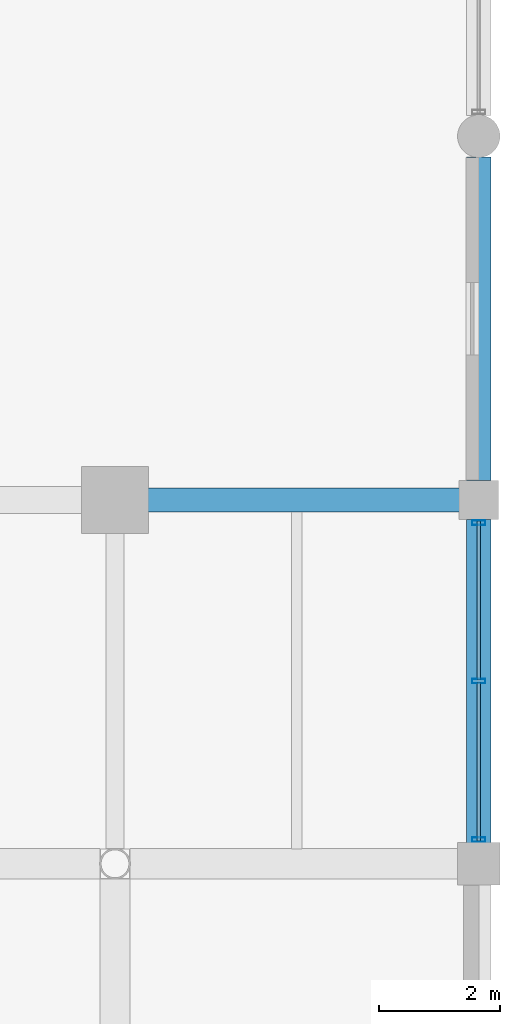
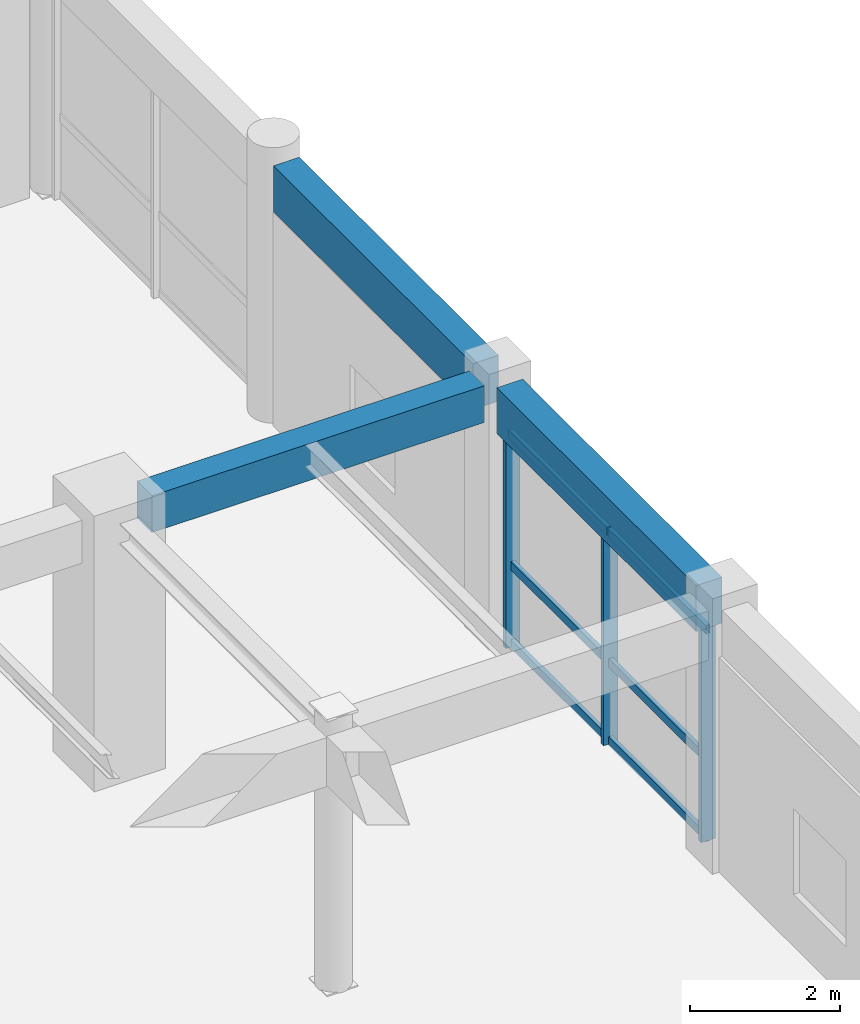
# One storey, part 56 of 116: 9 members, 3 beams, 1 element without a shape of its own.
"""IFC4 building model written with IfcOpenShell, lengths in metres."""

import ifcopenshell
import ifcopenshell.guid

model = None  # the IFC model being written
_history = None  # IfcOwnerHistory: only IFC2X3 demands one
_inside = {}  # id of a spatial element -> (the spatial element, [elements in it])
_under = {}  # id of a project, library or spatial element -> (it, [spatial elements below it])
_declared = {}  # id of a project -> (the project, [libraries it declares])
_typed = {}  # id of a type object -> (the type object, [elements of that type])
_made_of = {}  # id of a material, layer set ... -> (it, [elements and type objects made of it])


def new_model(schema):
    """Start an empty IFC model of exactly this schema.

    Asked for "IFC4X3", IfcOpenShell would pick the latest addendum, in which some entities
    have other attributes; the version numbers below select the first issue.
    IFC2X3 requires an IfcOwnerHistory on every rooted entity: one is made here for all.
    """
    global model, _history
    if schema == "IFC4X3":
        model = ifcopenshell.file(schema_version=(4, 3, 0, 0))
    else:
        model = ifcopenshell.file(schema=schema)
    _inside.clear()
    _under.clear()
    _declared.clear()
    _typed.clear()
    _made_of.clear()
    _history = None
    if model.schema == "IFC2X3":
        org = make("IfcOrganization", Name="unknown")
        user = make(
            "IfcPersonAndOrganization",
            ThePerson=make("IfcPerson", FamilyName="unknown"),
            TheOrganization=org,
        )
        app = make(
            "IfcApplication",
            ApplicationDeveloper=org,
            Version="unknown",
            ApplicationFullName="unknown",
            ApplicationIdentifier="unknown",
        )
        _history = make(
            "IfcOwnerHistory",
            OwningUser=user,
            OwningApplication=app,
            ChangeAction="ADDED",
            CreationDate=0,
        )
    return model


def make(cls, **values):
    """One entity of the class cls with the attributes given. An attribute that is None is left unset."""
    return model.create_entity(
        cls, **{name: value for name, value in values.items() if value is not None}
    )


def rooted(cls, **values):
    """An entity with a GlobalId (a new one), such as an element, a storey or a relation."""
    return make(cls, GlobalId=ifcopenshell.guid.new(), OwnerHistory=_history, **values)


def si_unit(unit_type, name, prefix=None):
    """IfcSIUnit, for example si_unit("LENGTHUNIT", "METRE", prefix="MILLI")."""
    return make("IfcSIUnit", UnitType=unit_type, Prefix=prefix, Name=name)


def assignment(units):
    """IfcUnitAssignment: the units of a project."""
    return None if units is None else make("IfcUnitAssignment", Units=units)


def point(xyz):
    """IfcCartesianPoint."""
    return None if xyz is None else make("IfcCartesianPoint", Coordinates=xyz)


def direction(xyz):
    """IfcDirection."""
    return None if xyz is None else make("IfcDirection", DirectionRatios=xyz)


def frame(location, z_axis=None, x_axis=None):
    """IfcAxis2Placement3D, a coordinate frame: its origin and axes. An axis left out is left unset."""
    return make(
        "IfcAxis2Placement3D",
        Location=point(location),
        Axis=direction(z_axis),
        RefDirection=direction(x_axis),
    )


def frame_2d(location, x_axis=None):
    """IfcAxis2Placement2D, a coordinate frame in the plane: its origin and x axis."""
    return make(
        "IfcAxis2Placement2D", Location=point(location), RefDirection=direction(x_axis)
    )


def origin():
    """The frame at (0, 0, 0) with its axes left unset."""
    return frame((0.0, 0.0, 0.0))


def origin_2d():
    """The frame at (0, 0) in the plane with its x axis left unset."""
    return frame_2d((0.0, 0.0))


def place(relative_to, where):
    """IfcLocalPlacement: puts the frame where relative to a parent placement (None: the world)."""
    return make(
        "IfcLocalPlacement", PlacementRelTo=relative_to, RelativePlacement=where
    )


def context(
    kind, dimensions, precision=None, world=None, true_north=None, identifier=None
):
    """IfcGeometricRepresentationContext, for example the 3D "Model" context."""
    return make(
        "IfcGeometricRepresentationContext",
        ContextIdentifier=identifier,
        ContextType=kind,
        CoordinateSpaceDimension=dimensions,
        Precision=precision,
        WorldCoordinateSystem=world,
        TrueNorth=true_north,
    )


def subcontext(parent, identifier, kind, view, scale=None):
    """IfcGeometricRepresentationSubContext, for example "Body" below "Model"."""
    return make(
        "IfcGeometricRepresentationSubContext",
        ContextIdentifier=identifier,
        ContextType=kind,
        ParentContext=parent,
        TargetScale=scale,
        TargetView=view,
    )


def project(units=None, contexts=None):
    """IfcProject with its units and contexts."""
    return rooted(
        "IfcProject",
        Name="project",
        RepresentationContexts=contexts,
        UnitsInContext=assignment(units),
    )


def spatial(cls, under=None, at=None, **own):
    """A site, building, storey or space (cls), placed at a placement, below another one or the project."""
    s = rooted(cls, ObjectPlacement=at, **own)
    if under is not None:
        _under.setdefault(under.id(), (under, []))[1].append(s)
    return s


def profile(cls, at=None, kind="AREA", **sizes):
    """A parametric profile (cls). Its sizes go by their IFC names, for example OverallWidth=200.0."""
    return make(cls, ProfileType=kind, Position=at, **sizes)


def rectangle(**sizes):
    """IfcRectangleProfileDef."""
    return profile("IfcRectangleProfileDef", **sizes)


def hollow_rectangle(**sizes):
    """IfcRectangleHollowProfileDef."""
    return profile("IfcRectangleHollowProfileDef", **sizes)


def extrude(swept, where, along, depth):
    """IfcExtrudedAreaSolid: the profile swept, set in the frame where, extruded along a direction by depth."""
    return make(
        "IfcExtrudedAreaSolid",
        SweptArea=swept,
        Position=where,
        ExtrudedDirection=direction(along),
        Depth=depth,
    )


def shape(context_of_items, identifier, shape_type, items):
    """IfcShapeRepresentation: the items that make up one representation, for example the "Body"."""
    return make(
        "IfcShapeRepresentation",
        ContextOfItems=context_of_items,
        RepresentationIdentifier=identifier,
        RepresentationType=shape_type,
        Items=items,
    )


def material(Name=None, Category=None):
    """IfcMaterial."""
    return make("IfcMaterial", Name=Name, Category=Category)


def material_profile(
    of_material, cross_section, Name=None, Category=None, Priority=None
):
    """IfcMaterialProfile: a cross section and its material."""
    return make(
        "IfcMaterialProfile",
        Name=Name,
        Material=of_material,
        Profile=cross_section,
        Priority=Priority,
        Category=Category,
    )


def profile_set(profiles, Name=None, composite=None):
    """IfcMaterialProfileSet."""
    return make(
        "IfcMaterialProfileSet",
        Name=Name,
        MaterialProfiles=profiles,
        CompositeProfile=composite,
    )


def made_of(thing, what):
    """Note that an element or type object is made of a material, layer set ...; save() writes the relation."""
    if what is not None:
        _made_of.setdefault(what.id(), (what, []))[1].append(thing)
    return thing


def type_object(cls, material=None, **own):
    """A type object (cls), such as IfcWallType, which elements share."""
    return made_of(rooted(cls, **own), material)


def element(
    cls,
    number,
    at=None,
    inside=None,
    cuts=None,
    type_object=None,
    material=None,
    context=None,
    identifier="Body",
    shape_type=None,
    held_by="IfcProductDefinitionShape",
    body=None,
    shapes=None,
    **own,
):
    """One element of the class cls, such as IfcWall. Its Tag is "e" and its number.

    at: its placement. inside: the storey or other place that contains it. cuts: it is an
    opening in that element (IfcRelVoidsElement). A single representation is given by context,
    identifier, shape_type and body (its items); several are given by shapes. held_by: the class
    of the entity that holds the representations. save() writes the other relations.
    """
    e = rooted(cls, Tag="e%d" % number, ObjectPlacement=at, **own)
    if body is not None:
        shapes = [shape(context, identifier, shape_type, body)]
    if shapes is not None:
        e.Representation = make(held_by, Representations=shapes)
    if inside is not None:
        _inside.setdefault(inside.id(), (inside, []))[1].append(e)
    if cuts is not None:
        rooted(
            "IfcRelVoidsElement", RelatingBuildingElement=cuts, RelatedOpeningElement=e
        )
    if type_object is not None:
        _typed.setdefault(type_object.id(), (type_object, []))[1].append(e)
    return made_of(e, material)


def aggregate(whole, parts):
    """IfcRelAggregates: a whole, such as a stair, and the parts it consists of."""
    return rooted("IfcRelAggregates", RelatingObject=whole, RelatedObjects=parts)


def save(model, path):
    """Write the relations noted so far, then the file.

    IfcRelAggregates (storeys below a building ...), IfcRelContainedInSpatialStructure (elements
    in a storey), IfcRelDefinesByType, IfcRelAssociatesMaterial and IfcRelDeclares: one each for
    every whole, place, type object, material and project.
    """
    for whole, parts in _under.values():
        aggregate(whole, parts)
    for where, things in _inside.values():
        rooted(
            "IfcRelContainedInSpatialStructure",
            RelatedElements=things,
            RelatingStructure=where,
        )
    for kind, things in _typed.values():
        rooted("IfcRelDefinesByType", RelatedObjects=things, RelatingType=kind)
    for what, things in _made_of.values():
        rooted("IfcRelAssociatesMaterial", RelatedObjects=things, RelatingMaterial=what)
    for by, libraries in _declared.values():
        rooted("IfcRelDeclares", RelatingContext=by, RelatedDefinitions=libraries)
    model.write(path)


model = new_model("IFC4")

# Units and contexts
model_context = context("Model", 3, precision=1e-05, world=origin(), true_north=direction((0.0, 1.0)))
body_context = subcontext(model_context, "Body", "Model", "MODEL_VIEW")
ifc_project = project(units=[si_unit("LENGTHUNIT", "METRE"), si_unit("AREAUNIT", "SQUARE_METRE"), si_unit("VOLUMEUNIT", "CUBIC_METRE"), si_unit("PLANEANGLEUNIT", "RADIAN"), si_unit("MASSUNIT", "GRAM", prefix="KILO"), si_unit("THERMODYNAMICTEMPERATUREUNIT", "KELVIN"), si_unit("POWERUNIT", "WATT")], contexts=[model_context])

# Site, building, storey
site_placement = place(None, origin())
site = spatial("IfcSite", under=ifc_project, at=site_placement, CompositionType="ELEMENT")
building_placement = place(site_placement, origin())
building = spatial("IfcBuilding", under=site, at=building_placement, Name="Phaisarnlok Congress Hotel", CompositionType="ELEMENT")
storey_placement = place(building_placement, frame((0.0, 0.0, 10.5)))
storey = spatial("IfcBuildingStorey", under=building, at=storey_placement, Name="L02", CompositionType="ELEMENT", Elevation=10.5)

# Beam
ifc_material_1 = material(Name="Concrete C40/50", Category="concrete")
ifc_material_profile_1 = material_profile(ifc_material_1, rectangle(XDim=0.39990234375, YDim=0.60009765625, at=origin_2d()), Name="RC 400x600")
ifc_profile_set_1 = profile_set([ifc_material_profile_1], Name="Concrete C40/50")
beam_type_1 = type_object("IfcBeamType", Name="BM-RC-400x600", PredefinedType="BEAM", material=ifc_profile_set_1)
beam_placement = place(storey_placement, frame((174.544921875, 42.0, 3.93994140625), z_axis=(1.0, 0.0, 0.0), x_axis=(0.0, 1.0, 0.0)))
element("IfcBeam", 1, at=beam_placement, inside=storey, type_object=beam_type_1, Name="Beam B-02", PredefinedType="BEAM", context=body_context, shape_type="SweptSolid", body=[
    extrude(rectangle(XDim=0.39990234375, YDim=0.60009765625, at=origin_2d()), origin(), (0.0, 0.0, 1.0), 5.135009765625),
])

# Curtain wall, members
ifc_material_2 = material(Name="Thermally Broken Unitised Aluminium & Low-E Glazing", Category="aluminium")
curtain_wall_type = type_object("IfcCurtainWallType", Name="CW-UNIT-16", PredefinedType="NOTDEFINED", material=ifc_material_2)
curtain_wall_placement = place(storey_placement, origin())
curtain_wall = element("IfcCurtainWall", 2, at=curtain_wall_placement, inside=storey, type_object=curtain_wall_type, Name="Unitised curtain wall CW-16 (L02)", PredefinedType="NOTDEFINED")
ifc_material_3 = material(Name="Anodised Aluminium Alloy 6063-T6", Category="aluminium")
ifc_material_profile_2 = material_profile(ifc_material_3, hollow_rectangle(XDim=0.074951171875, YDim=0.219970703125, WallThickness=0.0048828125, at=origin_2d()), Name="ALU-M 75x220x5")
ifc_profile_set_2 = profile_set([ifc_material_profile_2], Name="Anodised Aluminium Alloy 6063-T6")
member_type_1 = type_object("IfcMemberType", Name="CWM-220", PredefinedType="MULLION", material=ifc_profile_set_2)
member_1_placement = place(storey_placement, frame((180.0, 36.39990234375, 0.0), z_axis=(0.0, 0.0, 1.0), x_axis=(0.0, 1.0, 0.0)))
member_1 = element("IfcMember", 3, at=member_1_placement, type_object=member_type_1, Name="Curtain wall mullion CWM-02", PredefinedType="MULLION", context=body_context, shape_type="SweptSolid", body=[
    extrude(hollow_rectangle(XDim=0.074951171875, YDim=0.219970703125, WallThickness=0.0048828125, at=origin_2d()), origin(), (0.0, 0.0, 1.0), 3.489990234375),
])
member_2_placement = place(storey_placement, frame((180.0, 39.012451171875, 0.0), z_axis=(0.0, 0.0, 1.0), x_axis=(0.0, 1.0, 0.0)))
member_2 = element("IfcMember", 4, at=member_2_placement, type_object=member_type_1, Name="Curtain wall mullion CWM-02", PredefinedType="MULLION", context=body_context, shape_type="SweptSolid", body=[
    extrude(hollow_rectangle(XDim=0.074951171875, YDim=0.219970703125, WallThickness=0.0048828125, at=origin_2d()), origin(), (0.0, 0.0, 1.0), 3.489990234375),
])
member_3_placement = place(storey_placement, frame((180.0, 41.625, 0.0), z_axis=(0.0, 0.0, 1.0), x_axis=(0.0, 1.0, 0.0)))
member_3 = element("IfcMember", 5, at=member_3_placement, type_object=member_type_1, Name="Curtain wall mullion CWM-02", PredefinedType="MULLION", context=body_context, shape_type="SweptSolid", body=[
    extrude(hollow_rectangle(XDim=0.074951171875, YDim=0.219970703125, WallThickness=0.0048828125, at=origin_2d()), origin(), (0.0, 0.0, 1.0), 3.489990234375),
])
ifc_material_profile_3 = material_profile(ifc_material_3, hollow_rectangle(XDim=0.06494140625, YDim=0.139892578125, WallThickness=0.00390625, at=origin_2d()), Name="ALU-T 65x140x4")
ifc_profile_set_3 = profile_set([ifc_material_profile_3], Name="Anodised Aluminium Alloy 6063-T6")
member_type_2 = type_object("IfcMemberType", Name="CWT-150", PredefinedType="USERDEFINED", material=ifc_profile_set_3)
member_4_placement = place(storey_placement, frame((180.0, 36.375, 0.050048828125), z_axis=(0.0, 1.0, 0.0), x_axis=(-1.0, 0.0, 0.0)))
member_4 = element("IfcMember", 6, at=member_4_placement, type_object=member_type_2, Name="Curtain wall transom CWT-01", ObjectType="TRANSOM", PredefinedType="USERDEFINED", context=body_context, shape_type="SweptSolid", body=[
    extrude(hollow_rectangle(XDim=0.06494140625, YDim=0.139892578125, WallThickness=0.00390625, at=origin_2d()), origin(), (0.0, 0.0, 1.0), 2.62255859375),
])
member_5_placement = place(storey_placement, frame((180.0, 36.375, 1.326171875), z_axis=(0.0, 1.0, 0.0), x_axis=(-1.0, 0.0, 0.0)))
member_5 = element("IfcMember", 7, at=member_5_placement, type_object=member_type_2, Name="Curtain wall transom CWT-01", ObjectType="TRANSOM", PredefinedType="USERDEFINED", context=body_context, shape_type="SweptSolid", body=[
    extrude(hollow_rectangle(XDim=0.06494140625, YDim=0.139892578125, WallThickness=0.00390625, at=origin_2d()), origin(), (0.0, 0.0, 1.0), 2.62255859375),
])
member_6_placement = place(storey_placement, frame((180.0, 36.375, 3.43994140625), z_axis=(0.0, 1.0, 0.0), x_axis=(-1.0, 0.0, 0.0)))
member_6 = element("IfcMember", 8, at=member_6_placement, type_object=member_type_2, Name="Curtain wall transom CWT-01", ObjectType="TRANSOM", PredefinedType="USERDEFINED", context=body_context, shape_type="SweptSolid", body=[
    extrude(hollow_rectangle(XDim=0.06494140625, YDim=0.139892578125, WallThickness=0.00390625, at=origin_2d()), origin(), (0.0, 0.0, 1.0), 2.62255859375),
])
member_7_placement = place(storey_placement, frame((180.0, 39.027587890625, 0.050048828125), z_axis=(0.0, 1.0, 0.0), x_axis=(-1.0, 0.0, 0.0)))
member_7 = element("IfcMember", 9, at=member_7_placement, type_object=member_type_2, Name="Curtain wall transom CWT-01", ObjectType="TRANSOM", PredefinedType="USERDEFINED", context=body_context, shape_type="SweptSolid", body=[
    extrude(hollow_rectangle(XDim=0.06494140625, YDim=0.139892578125, WallThickness=0.00390625, at=origin_2d()), origin(), (0.0, 0.0, 1.0), 2.622314453125),
])
member_8_placement = place(storey_placement, frame((180.0, 39.027587890625, 1.326171875), z_axis=(0.0, 1.0, 0.0), x_axis=(-1.0, 0.0, 0.0)))
member_8 = element("IfcMember", 10, at=member_8_placement, type_object=member_type_2, Name="Curtain wall transom CWT-01", ObjectType="TRANSOM", PredefinedType="USERDEFINED", context=body_context, shape_type="SweptSolid", body=[
    extrude(hollow_rectangle(XDim=0.06494140625, YDim=0.139892578125, WallThickness=0.00390625, at=origin_2d()), origin(), (0.0, 0.0, 1.0), 2.622314453125),
])
member_9_placement = place(storey_placement, frame((180.0, 39.027587890625, 3.43994140625), z_axis=(0.0, 1.0, 0.0), x_axis=(-1.0, 0.0, 0.0)))
member_9 = element("IfcMember", 11, at=member_9_placement, type_object=member_type_2, Name="Curtain wall transom CWT-01", ObjectType="TRANSOM", PredefinedType="USERDEFINED", context=body_context, shape_type="SweptSolid", body=[
    extrude(hollow_rectangle(XDim=0.06494140625, YDim=0.139892578125, WallThickness=0.00390625, at=origin_2d()), origin(), (0.0, 0.0, 1.0), 2.622314453125),
])
aggregate(curtain_wall, [member_1, member_2, member_3, member_4, member_5, member_6, member_7, member_8, member_9])

# Beams
ifc_material_profile_4 = material_profile(ifc_material_1, rectangle(XDim=0.39990234375, YDim=0.75, at=origin_2d()), Name="RC 400x750")
ifc_profile_set_4 = profile_set([ifc_material_profile_4], Name="Concrete C40/50")
beam_type_2 = type_object("IfcBeamType", Name="SP-RC-400x750", PredefinedType="SPANDREL", material=ifc_profile_set_4)
for number, where, z_axis, x_axis, name in (
    (12, (180.0, 36.344970703125, 3.864990234375), (0.0, 1.0, 0.0), (-1.0, 0.0, 0.0), "Beam SP-02"),
    (13, (180.0, 42.320068359375, 3.864990234375), (0.0, 1.0, 0.0), (-1.0, 0.0, 0.0), "Beam SP-02"),
):
    element("IfcBeam", number, at=place(storey_placement, frame(where, z_axis=z_axis, x_axis=x_axis)), inside=storey, type_object=beam_type_2, Name=name, PredefinedType="SPANDREL", context=body_context, shape_type="SweptSolid", body=[
        extrude(rectangle(XDim=0.39990234375, YDim=0.75, at=origin_2d()), origin(), (0.0, 0.0, 1.0), 5.3349609375),
    ])

save(model, "model.ifc")
